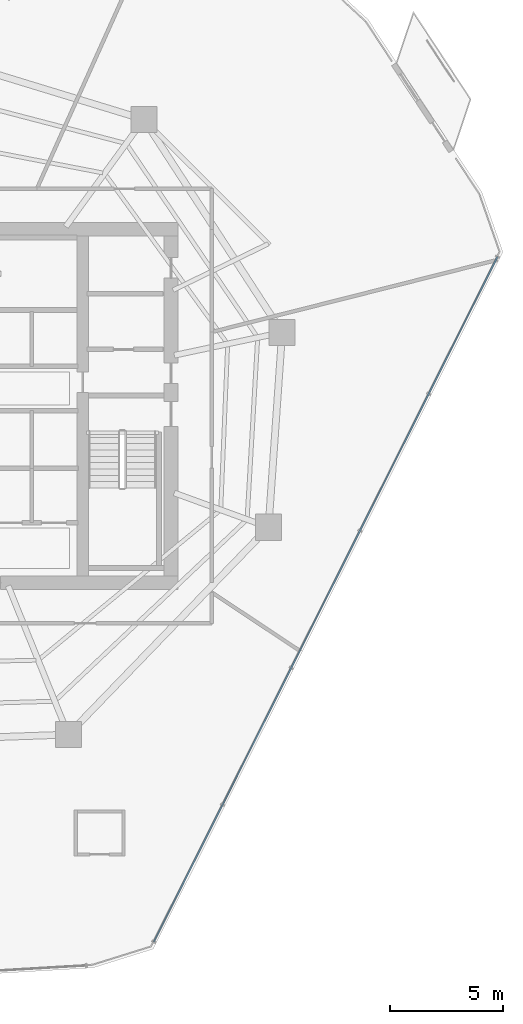
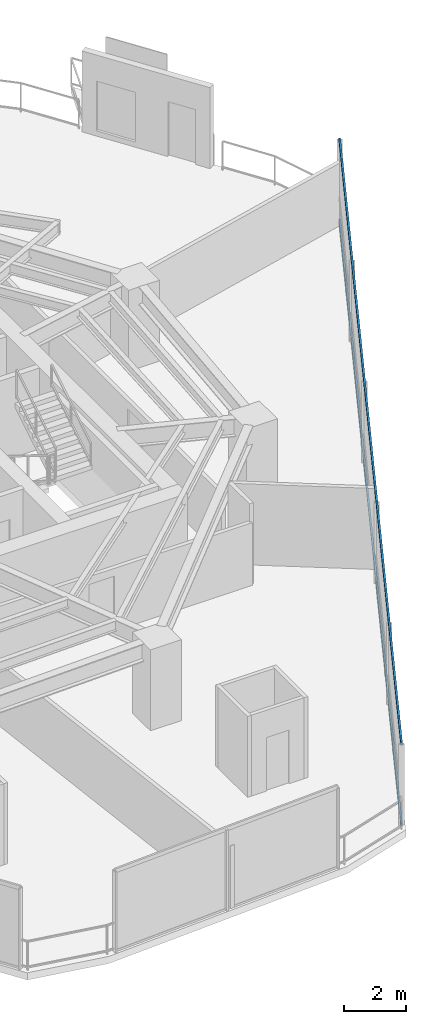
# One storey, part 12 of 30: 2 members, 1 element without a shape of its own.
"""IFC4 building model written with IfcOpenShell, lengths in metres."""

from ifc_helpers import new_model, si_unit, direction, frame, origin, origin_2d, place, context, subcontext, project, spatial, hollow_rectangle, extrude, material, layer, layer_set, material_profile, profile_set, type_object, element, aggregate, save


model = new_model("IFC4")

# Units and contexts
model_context = context("Model", 3, precision=1e-05, world=origin(), true_north=direction((0.0, 1.0)))
body_context = subcontext(model_context, "Body", "Model", "MODEL_VIEW")
ifc_project = project(units=[si_unit("LENGTHUNIT", "METRE"), si_unit("AREAUNIT", "SQUARE_METRE"), si_unit("VOLUMEUNIT", "CUBIC_METRE"), si_unit("PLANEANGLEUNIT", "RADIAN"), si_unit("MASSUNIT", "GRAM", prefix="KILO")], contexts=[model_context])

# Site, building, storey
site_placement = place(None, origin())
site = spatial("IfcSite", under=ifc_project, at=site_placement, CompositionType="ELEMENT")
building_placement = place(site_placement, origin())
building = spatial("IfcBuilding", under=site, at=building_placement, Name="Qarnah Convention Tower", CompositionType="ELEMENT")
storey_placement = place(building_placement, frame((0.0, 0.0, 79.800048828125)))
storey = spatial("IfcBuildingStorey", under=building, at=storey_placement, Name="L20", CompositionType="ELEMENT", Elevation=79.800048828125)

# Curtain wall, members
ifc_material_1 = material(Name="Tempered Low-E dark glass", Category="glass")
ifc_layer = layer(ifc_material_1, 0.169921875)
ifc_layer_set = layer_set([ifc_layer], Name="Tempered Low-E dark glass")
curtain_wall_type = type_object("IfcCurtainWallType", Name="CWS-02", PredefinedType="NOTDEFINED", material=ifc_layer_set)
curtain_wall_placement = place(storey_placement, origin())
curtain_wall = element("IfcCurtainWall", 1, at=curtain_wall_placement, inside=storey, type_object=curtain_wall_type, Name="L20 unitised curtain wall CW-L20-F2", PredefinedType="NOTDEFINED")
ifc_material_2 = material(Name="Black anodised aluminium", Category="aluminium")
ifc_material_profile = material_profile(ifc_material_2, hollow_rectangle(XDim=0.06494140625, YDim=0.14990234375, WallThickness=0.00390625, at=origin_2d()), Name="TRN-65X150")
ifc_profile_set = profile_set([ifc_material_profile], Name="Black anodised aluminium")
member_type = type_object("IfcMemberType", Name="TRN-T2", PredefinedType="USERDEFINED", material=ifc_profile_set)
member_1_placement = place(storey_placement, frame((62.01806640625, 32.993896484375, 0.0), z_axis=(-0.448396136353, -0.893834942763, 0.0), x_axis=(0.893834942763, -0.448396136353, 0.0)))
member_1 = element("IfcMember", 2, at=member_1_placement, type_object=member_type, Name="CW-L20-F2 transom 1", ObjectType="TRANSOM", PredefinedType="USERDEFINED", context=body_context, shape_type="SweptSolid", body=[
    extrude(hollow_rectangle(XDim=0.06494140625, YDim=0.14990234375, WallThickness=0.00390625, at=origin_2d()), origin(), (0.0, 0.0, 1.0), 33.847412109375),
])
member_2_placement = place(storey_placement, frame((62.01806640625, 32.993896484375, 3.169921875), z_axis=(-0.448396136353, -0.893834942763, 0.0), x_axis=(0.893834942763, -0.448396136353, 0.0)))
member_2 = element("IfcMember", 3, at=member_2_placement, type_object=member_type, Name="CW-L20-F2 transom 2", ObjectType="TRANSOM", PredefinedType="USERDEFINED", context=body_context, shape_type="SweptSolid", body=[
    extrude(hollow_rectangle(XDim=0.06494140625, YDim=0.14990234375, WallThickness=0.00390625, at=origin_2d()), origin(), (0.0, 0.0, 1.0), 33.847412109375),
])
aggregate(curtain_wall, [member_1, member_2])

save(model, "model.ifc")
